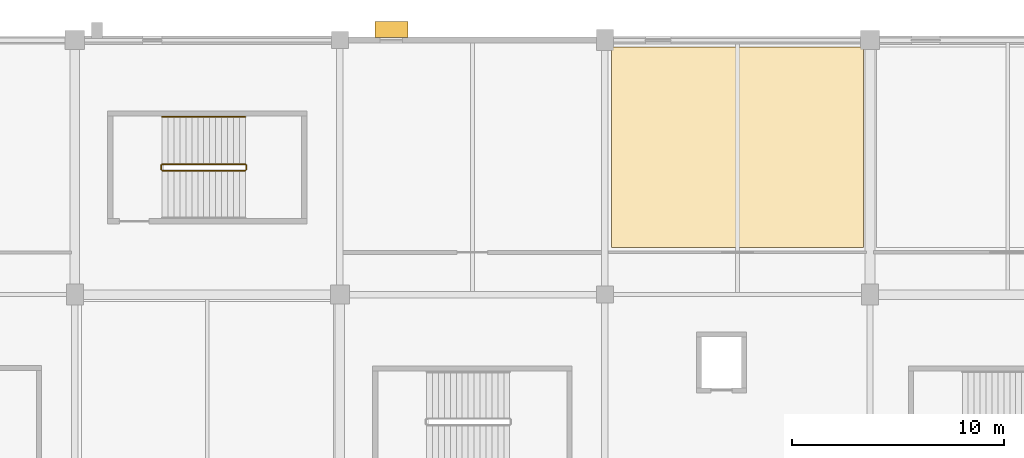
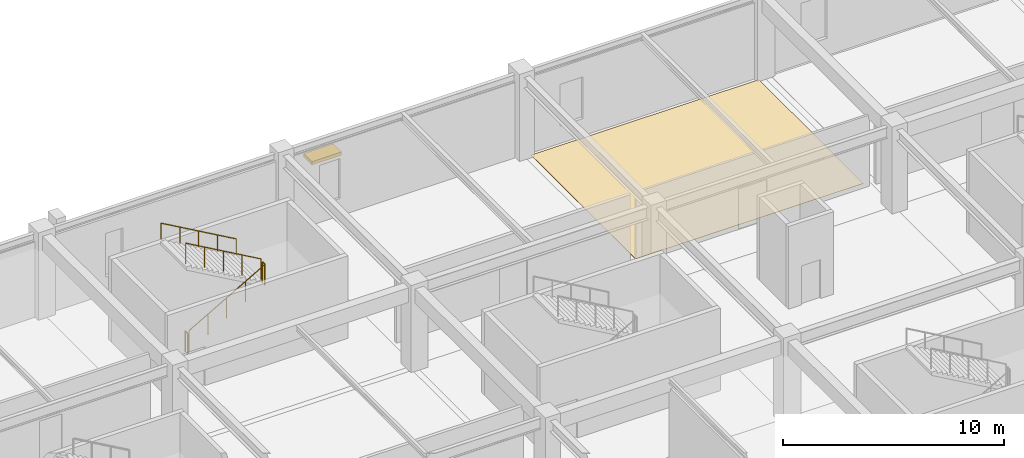
# One storey, part 130 of 134: 5 railings, 1 covering, 1 shading device.
"""IFC4 building model written with IfcOpenShell, lengths in metres."""

from ifc_helpers import new_model, si_unit, direction, frame, origin, origin_2d, place, context, subcontext, project, spatial, polyline, rectangle, circle, outline, extrude, material, layer, layer_set, type_object, element, save


model = new_model("IFC4")

# Units and contexts
model_context = context("Model", 3, precision=1e-05, world=origin(), true_north=direction((0.0, 1.0)))
body_context = subcontext(model_context, "Body", "Model", "MODEL_VIEW")
ifc_project = project(units=[si_unit("LENGTHUNIT", "METRE"), si_unit("AREAUNIT", "SQUARE_METRE"), si_unit("VOLUMEUNIT", "CUBIC_METRE"), si_unit("PLANEANGLEUNIT", "RADIAN"), si_unit("MASSUNIT", "GRAM", prefix="KILO")], contexts=[model_context])

# Site, building, storey
site_placement = place(None, origin())
site = spatial("IfcSite", under=ifc_project, at=site_placement, CompositionType="ELEMENT")
building_placement = place(site_placement, origin())
building = spatial("IfcBuilding", under=site, at=building_placement, Name="Kazenohara Klinker Stadium", CompositionType="ELEMENT")
storey_placement = place(building_placement, frame((0.0, 0.0, 5.39990234375)))
storey = spatial("IfcBuildingStorey", under=building, at=storey_placement, Name="L01", CompositionType="ELEMENT", Elevation=5.39990234375)

# Covering
ifc_material_1 = material(Name="Cushioned EPDM sports rubber flooring", Category="rubber")
ifc_layer_1 = layer(ifc_material_1, 0.014892578125)
ifc_layer_set_1 = layer_set([ifc_layer_1], Name="Cushioned EPDM sports rubber flooring")
covering_type = type_object("IfcCoveringType", Name="COV-FLR-02", PredefinedType="FLOORING", material=ifc_layer_set_1)
covering_placement = place(storey_placement, origin())
element("IfcCovering", 1, at=covering_placement, inside=storey, type_object=covering_type, Name="Interior floor finish FL02 Family Sensory Hospitality Lounge L01-0713A", PredefinedType="FLOORING", context=body_context, shape_type="SweptSolid", body=[
    extrude(outline(polyline([(86.81005859375, 158.22998046875), (98.68994140625, 158.22998046875), (98.68994140625, 167.669921875), (86.81005859375, 167.669921875), (86.81005859375, 158.22998046875)])), origin(), (0.0, 0.0, 1.0), 0.01513671875),
])

# Railings
ifc_material_2 = material(Name="Brushed stainless steel 304 handrail", Category="steel")
ifc_layer_2 = layer(ifc_material_2, 0.050048828125)
ifc_layer_set_2 = layer_set([ifc_layer_2], Name="Brushed stainless steel 304 handrail")
railing_type_1 = type_object("IfcRailingType", Name="RL-HND-900", PredefinedType="HANDRAIL", material=ifc_layer_set_2)
railing_1_placement = place(storey_placement, frame((69.5400390625, 164.3798828125, 2.56005859375)))
element("IfcRailing", 2, at=railing_1_placement, inside=storey, type_object=railing_type_1, Name="L01 ST15 stair handrail 2", PredefinedType="HANDRAIL", context=body_context, shape_type="SweptSolid", body=[
    extrude(circle(Radius=0.02392578125, at=origin_2d()), frame((0.0, 0.0, 0.8759765625), z_axis=(-0.868239814368, 0.0, 0.496144761885), x_axis=(0.0, -1.0, 0.0)), (0.0, 0.0, 1.0), 4.514892578125),
    extrude(circle(Radius=0.02099609375, at=origin_2d()), origin(), (0.0, 0.0, 1.0), 0.851806640625),
    extrude(circle(Radius=0.02099609375, at=origin_2d()), frame((-0.97998046875, 0.0, 0.56005859375)), (0.0, 0.0, 1.0), 0.851806640625),
    extrude(circle(Radius=0.02099609375, at=origin_2d()), frame((-1.9599609375, 0.0, 1.1201171875)), (0.0, 0.0, 1.0), 0.851806640625),
    extrude(circle(Radius=0.02099609375, at=origin_2d()), frame((-2.93994140625, 0.0, 1.679931640625)), (0.0, 0.0, 1.0), 0.851806640625),
    extrude(circle(Radius=0.02099609375, at=origin_2d()), frame((-3.919921875, 0.0, 2.239990234375)), (0.0, 0.0, 1.0), 0.851806640625),
])
ifc_material_3 = material(Name="Painted steel stairwell guardrail", Category="steel")
ifc_layer_3 = layer(ifc_material_3, 0.06005859375)
ifc_layer_set_3 = layer_set([ifc_layer_3], Name="Painted steel stairwell guardrail")
railing_type_2 = type_object("IfcRailingType", Name="RL-STG-1120", PredefinedType="GUARDRAIL", material=ifc_layer_set_3)
railing_2_placement = place(storey_placement, frame((65.6201171875, 161.85009765625, 0.16015625)))
element("IfcRailing", 3, at=railing_2_placement, inside=storey, type_object=railing_type_2, Name="L01 ST15 stair guard 1", PredefinedType="GUARDRAIL", context=body_context, shape_type="SweptSolid", body=[
    extrude(circle(Radius=0.02392578125, at=origin_2d()), frame((0.0, 0.0, 1.1259765625), z_axis=(0.868239814368, 0.0, 0.496144761885), x_axis=(0.0, 1.0, 0.0)), (0.0, 0.0, 1.0), 4.514892578125),
    extrude(circle(Radius=0.02099609375, at=origin_2d()), origin(), (0.0, 0.0, 1.0), 1.101806640625),
    extrude(circle(Radius=0.02099609375, at=origin_2d()), frame((0.97998046875, 0.0, 0.56005859375)), (0.0, 0.0, 1.0), 1.101806640625),
    extrude(circle(Radius=0.02099609375, at=origin_2d()), frame((1.9599609375, 0.0, 1.1201171875)), (0.0, 0.0, 1.0), 1.101806640625),
    extrude(circle(Radius=0.02099609375, at=origin_2d()), frame((2.93994140625, 0.0, 1.679931640625)), (0.0, 0.0, 1.0), 1.101806640625),
    extrude(circle(Radius=0.02099609375, at=origin_2d()), frame((3.919921875, 0.0, 2.239990234375)), (0.0, 0.0, 1.0), 1.101806640625),
])
railing_3_placement = place(storey_placement, frame((69.590087890625, 161.89990234375, 2.400146484375)))
element("IfcRailing", 4, at=railing_3_placement, inside=storey, type_object=railing_type_2, Name="L01 ST15 stair guard 2", PredefinedType="GUARDRAIL", context=body_context, shape_type="SweptSolid", body=[
    extrude(circle(Radius=0.02392578125, at=origin_2d()), frame((0.0, 0.0, 1.1259765625), z_axis=(0.0, 1.0, 0.0), x_axis=(-1.0, 0.0, 0.0)), (0.0, 0.0, 1.0), 0.2001953125),
    extrude(circle(Radius=0.02099609375, at=origin_2d()), origin(), (0.0, 0.0, 1.0), 1.101806640625),
    extrude(circle(Radius=0.02099609375, at=origin_2d()), frame((0.0, 0.2001953125, 0.0)), (0.0, 0.0, 1.0), 1.101806640625),
])
railing_4_placement = place(storey_placement, frame((69.5400390625, 162.14990234375, 2.56005859375)))
element("IfcRailing", 5, at=railing_4_placement, inside=storey, type_object=railing_type_2, Name="L01 ST15 stair guard 3", PredefinedType="GUARDRAIL", context=body_context, shape_type="SweptSolid", body=[
    extrude(circle(Radius=0.02392578125, at=origin_2d()), frame((0.0, 0.0, 1.1259765625), z_axis=(-0.868239814368, 0.0, 0.496144761885), x_axis=(0.0, -1.0, 0.0)), (0.0, 0.0, 1.0), 4.514892578125),
    extrude(circle(Radius=0.02099609375, at=origin_2d()), origin(), (0.0, 0.0, 1.0), 1.101806640625),
    extrude(circle(Radius=0.02099609375, at=origin_2d()), frame((-0.97998046875, 0.0, 0.56005859375)), (0.0, 0.0, 1.0), 1.101806640625),
    extrude(circle(Radius=0.02099609375, at=origin_2d()), frame((-1.9599609375, 0.0, 1.1201171875)), (0.0, 0.0, 1.0), 1.101806640625),
    extrude(circle(Radius=0.02099609375, at=origin_2d()), frame((-2.93994140625, 0.0, 1.679931640625)), (0.0, 0.0, 1.0), 1.101806640625),
    extrude(circle(Radius=0.02099609375, at=origin_2d()), frame((-3.919921875, 0.0, 2.239990234375)), (0.0, 0.0, 1.0), 1.101806640625),
])
railing_5_placement = place(storey_placement, frame((65.570068359375, 161.89990234375, 0.0)))
element("IfcRailing", 6, at=railing_5_placement, inside=storey, type_object=railing_type_2, Name="L01 ST15 stair guard 4", PredefinedType="GUARDRAIL", context=body_context, shape_type="SweptSolid", body=[
    extrude(circle(Radius=0.02392578125, at=origin_2d()), frame((0.0, 0.0, 1.1259765625), z_axis=(0.0, 1.0, 0.0), x_axis=(-1.0, 0.0, 0.0)), (0.0, 0.0, 1.0), 0.2001953125),
    extrude(circle(Radius=0.02099609375, at=origin_2d()), origin(), (0.0, 0.0, 1.0), 1.101806640625),
    extrude(circle(Radius=0.02099609375, at=origin_2d()), frame((0.0, 0.2001953125, 0.0)), (0.0, 0.0, 1.0), 1.101806640625),
])

# Shading device
ifc_material_4 = material(Name="Bronze-anodised aluminium snow-hood sunshade", Category="aluminium")
shading_device_type = type_object("IfcShadingDeviceType", Name="SHD-SUN-02", PredefinedType="AWNING", material=ifc_material_4)
shading_device_placement = place(storey_placement, frame((76.428955078125, 168.510009765625, 3.09033203125), z_axis=(0.0, 0.0, 1.0), x_axis=(1.0, 0.0, 0.0)))
element("IfcShadingDevice", 7, at=shading_device_placement, inside=storey, type_object=shading_device_type, Name="Bronze snow-hood sunshade SS02-06", PredefinedType="AWNING", context=body_context, shape_type="SweptSolid", body=[
    extrude(rectangle(XDim=1.550048828125, YDim=0.75, at=origin_2d()), origin(), (0.0, 0.0, 1.0), 0.179931640625),
])

save(model, "model.ifc")
